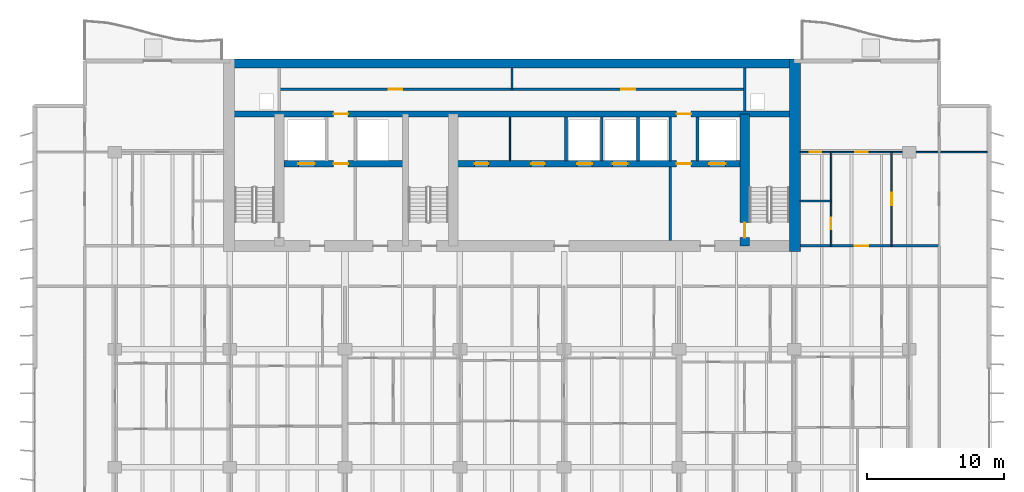
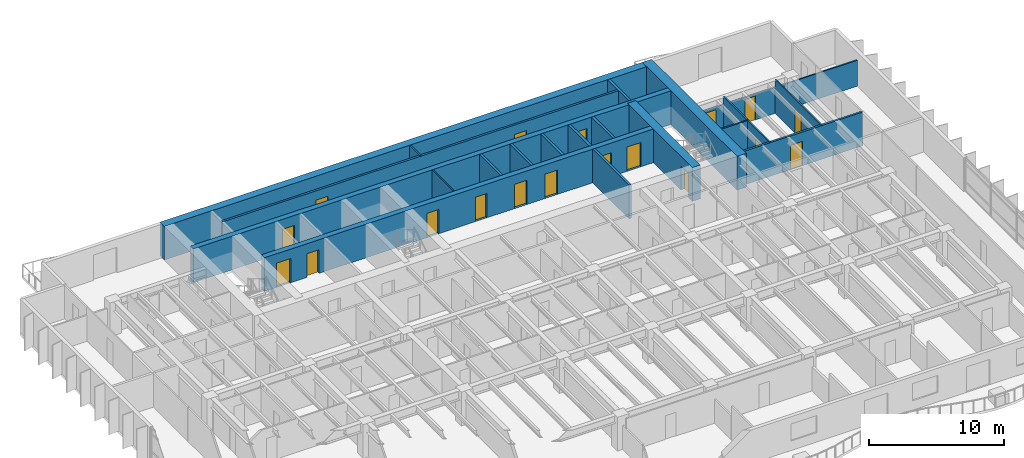
# One storey, part 10 of 15: 20 walls, 18 doors, 18 openings.
"""IFC4 building model written with IfcOpenShell, lengths in metres."""

from ifc_helpers import new_model, si_unit, direction, frame, frame_2d, origin, place, context, subcontext, project, spatial, rectangle, extrude, material, layer, layer_set, type_object, element, fill, save


model = new_model("IFC4")

# Units and contexts
model_context = context("Model", 3, precision=1e-05, world=origin(), true_north=direction((0.0, 1.0)))
body_context = subcontext(model_context, "Body", "Model", "MODEL_VIEW")
ifc_project = project(units=[si_unit("LENGTHUNIT", "METRE"), si_unit("AREAUNIT", "SQUARE_METRE"), si_unit("VOLUMEUNIT", "CUBIC_METRE"), si_unit("PLANEANGLEUNIT", "RADIAN"), si_unit("MASSUNIT", "GRAM", prefix="KILO")], contexts=[model_context])

# Site, building, storey
site_placement = place(None, origin())
site = spatial("IfcSite", under=ifc_project, at=site_placement, CompositionType="ELEMENT")
building_placement = place(site_placement, origin())
building = spatial("IfcBuilding", under=site, at=building_placement, Name="Caelmar Bay Residences", CompositionType="ELEMENT")
storey_placement = place(building_placement, frame((0.0, 0.0, 135.60009765625)))
storey = spatial("IfcBuildingStorey", under=building, at=storey_placement, Name="L37", CompositionType="ELEMENT", Elevation=135.60009765625)

# Wall, opening, door
ifc_material_1 = material(Name="Concrete f'c 55 MPa (8,000 psi)", Category="concrete")
ifc_layer_1 = layer(ifc_material_1, 0.699951171875)
ifc_layer_set_1 = layer_set([ifc_layer_1], Name="Concrete f'c 55 MPa (8,000 psi)")
wall_type_1 = type_object("IfcWallType", Name="SW-COR-700", PredefinedType="SHEAR", material=ifc_layer_set_1)
wall_1_placement = place(storey_placement, frame((55.89990234375, 36.949951171875, 0.0), z_axis=(0.0, 0.0, 1.0), x_axis=(0.0, 1.0, 0.0)))
wall_1 = element("IfcWall", 1, at=wall_1_placement, inside=storey, type_object=wall_type_1, Name="L37 Core Structural Web Wall ST2W", PredefinedType="SHEAR", context=body_context, shape_type="SweptSolid", body=[
    extrude(rectangle(XDim=9.625, YDim=0.699951171875, at=frame_2d((4.8125, 0.0))), origin(), (0.0, 0.0, 1.0), 3.0498046875),
])
opening_1_placement = place(wall_1_placement, frame((0.60009765625, 0.0, 0.0)))
opening_1 = element("IfcOpeningElement", 2, at=opening_1_placement, cuts=wall_1, Name="Opening D-L37-110", PredefinedType="OPENING", context=body_context, shape_type="SweptSolid", body=[
    extrude(rectangle(XDim=1.10009765625, YDim=2.14990234375, at=frame_2d((0.550048828125, 1.074951171875))), frame((0.0, 0.35986328125, 0.0), z_axis=(0.0, -1.0, 0.0), x_axis=(1.0, 0.0, 0.0)), (0.0, 0.0, 1.0), 0.719970703125),
])
ifc_material_2 = material(Name="Fire-rated steel and walnut architectural door assembly", Category="steel")
ifc_layer_2 = layer(ifc_material_2, 0.050048828125)
ifc_layer_set_2 = layer_set([ifc_layer_2], Name="Fire-rated steel and walnut architectural door assembly")
door_type_1 = type_object("IfcDoorType", Name="D-STAIR-1100", OperationType="NOTDEFINED", PredefinedType="DOOR", material=ifc_layer_set_2)
door_1_placement = place(opening_1_placement, origin())
door_1 = element("IfcDoor", 3, at=door_1_placement, inside=storey, type_object=door_type_1, Name="L37 Firefighting Lobby East Door", OperationType="SINGLE_SWING_LEFT", OverallHeight=2.14990234375, OverallWidth=1.10009765625, PredefinedType="DOOR", context=body_context, shape_type="SweptSolid", body=[
    extrude(rectangle(XDim=1.10009765625, YDim=2.14990234375, at=frame_2d((0.550048828125, 1.074951171875))), frame((0.0, 0.02490234375, 0.0), z_axis=(0.0, -1.0, 0.0), x_axis=(1.0, 0.0, 0.0)), (0.0, 0.0, 1.0), 0.050048828125),
])
fill(opening_1, door_1)

# Walls
ifc_material_3 = material(Name="Concrete f'c 70 MPa (10,000 psi)", Category="concrete")
ifc_layer_3 = layer(ifc_material_3, 0.800048828125)
ifc_layer_set_3 = layer_set([ifc_layer_3], Name="Concrete f'c 70 MPa (10,000 psi)")
wall_type_2 = type_object("IfcWallType", Name="SW-COR-800", PredefinedType="SHEAR", material=ifc_layer_set_3)
wall_2_placement = place(storey_placement, frame((59.550048828125, 36.550048828125, 0.0), z_axis=(0.0, 0.0, 1.0), x_axis=(0.0, 1.0, 0.0)))
element("IfcWall", 4, at=wall_2_placement, inside=storey, type_object=wall_type_2, Name="L37 Rear Core East Shear Wall", PredefinedType="SHEAR", context=body_context, shape_type="SweptSolid", body=[
    extrude(rectangle(XDim=14.050048828125, YDim=0.800048828125, at=frame_2d((7.02490234375, 0.0))), origin(), (0.0, 0.0, 1.0), 3.0498046875),
])
ifc_layer_4 = layer(ifc_material_1, 0.64990234375)
ifc_layer_set_4 = layer_set([ifc_layer_4], Name="Concrete f'c 55 MPa (8,000 psi)")
wall_type_3 = type_object("IfcWallType", Name="SW-CORN-650", PredefinedType="SHEAR", material=ifc_layer_set_4)
wall_3_placement = place(storey_placement, frame((17.85009765625, 50.27490234375, 0.0), z_axis=(0.0, 0.0, 1.0), x_axis=(1.0, 0.0, 0.0)))
element("IfcWall", 5, at=wall_3_placement, inside=storey, type_object=wall_type_3, Name="L37 Rear Core North Shear Wall", PredefinedType="SHEAR", context=body_context, shape_type="SweptSolid", body=[
    extrude(rectangle(XDim=42.099853515625, YDim=0.64990234375, at=frame_2d((21.0498046875, 0.0))), origin(), (0.0, 0.0, 1.0), 3.0498046875),
])

# Wall, openings, doors
ifc_layer_5 = layer(ifc_material_3, 0.449951171875)
ifc_layer_set_5 = layer_set([ifc_layer_5], Name="Concrete f'c 70 MPa (10,000 psi)")
wall_type_4 = type_object("IfcWallType", Name="SW-WEB-450", PredefinedType="SHEAR", material=ifc_layer_set_5)
wall_4_placement = place(storey_placement, frame((22.25, 42.949951171875, 0.0), z_axis=(0.0, 0.0, 1.0), x_axis=(1.0, 0.0, 0.0)))
wall_4 = element("IfcWall", 6, at=wall_4_placement, inside=storey, type_object=wall_type_4, Name="L37 Core Structural Web Wall LFR", PredefinedType="SHEAR", context=body_context, shape_type="SweptSolid", body=[
    extrude(rectangle(XDim=33.300048828125, YDim=0.449951171875, at=frame_2d((16.64990234375, 0.0))), origin(), (0.0, 0.0, 1.0), 3.0498046875),
])
opening_2_placement = place(wall_4_placement, frame((1.050048828125, 0.0, 0.0)))
opening_2 = element("IfcOpeningElement", 7, at=opening_2_placement, cuts=wall_4, Name="Opening LD2", PredefinedType="OPENING", context=body_context, shape_type="SweptSolid", body=[
    extrude(rectangle(XDim=1.199951171875, YDim=2.199951171875, at=frame_2d((0.60009765625, 1.10009765625))), frame((0.0, 0.23486328125, 0.0), z_axis=(0.0, -1.0, 0.0), x_axis=(1.0, 0.0, 0.0)), (0.0, 0.0, 1.0), 0.469970703125),
])
opening_3_placement = place(wall_4_placement, frame((31.050048828125, 0.0, 0.0)))
opening_3 = element("IfcOpeningElement", 8, at=opening_3_placement, cuts=wall_4, Name="Opening LD2", PredefinedType="OPENING", context=body_context, shape_type="SweptSolid", body=[
    extrude(rectangle(XDim=1.199951171875, YDim=2.199951171875, at=frame_2d((0.60009765625, 1.10009765625))), frame((0.0, 0.23486328125, 0.0), z_axis=(0.0, -1.0, 0.0), x_axis=(1.0, 0.0, 0.0)), (0.0, 0.0, 1.0), 0.469970703125),
])
opening_4_placement = place(wall_4_placement, frame((21.39990234375, 0.0, 0.0)))
opening_4 = element("IfcOpeningElement", 9, at=opening_4_placement, cuts=wall_4, Name="Opening LD1", PredefinedType="OPENING", context=body_context, shape_type="SweptSolid", body=[
    extrude(rectangle(XDim=1.10009765625, YDim=2.199951171875, at=frame_2d((0.550048828125, 1.10009765625))), frame((0.0, 0.23486328125, 0.0), z_axis=(0.0, -1.0, 0.0), x_axis=(1.0, 0.0, 0.0)), (0.0, 0.0, 1.0), 0.469970703125),
])
opening_5_placement = place(wall_4_placement, frame((24.0, 0.0, 0.0)))
opening_5 = element("IfcOpeningElement", 10, at=opening_5_placement, cuts=wall_4, Name="Opening LD1", PredefinedType="OPENING", context=body_context, shape_type="SweptSolid", body=[
    extrude(rectangle(XDim=1.10009765625, YDim=2.199951171875, at=frame_2d((0.550048828125, 1.10009765625))), frame((0.0, 0.23486328125, 0.0), z_axis=(0.0, -1.0, 0.0), x_axis=(1.0, 0.0, 0.0)), (0.0, 0.0, 1.0), 0.469970703125),
])
opening_6_placement = place(wall_4_placement, frame((3.625, 0.0, 0.0)))
opening_6 = element("IfcOpeningElement", 11, at=opening_6_placement, cuts=wall_4, Name="Opening D-L37-108", PredefinedType="OPENING", context=body_context, shape_type="SweptSolid", body=[
    extrude(rectangle(XDim=1.050048828125, YDim=2.14990234375, at=frame_2d((0.52490234375, 1.074951171875))), frame((0.0, 0.23486328125, 0.0), z_axis=(0.0, -1.0, 0.0), x_axis=(1.0, 0.0, 0.0)), (0.0, 0.0, 1.0), 0.469970703125),
])
opening_7_placement = place(wall_4_placement, frame((28.675048828125, 0.0, 0.0)))
opening_7 = element("IfcOpeningElement", 12, at=opening_7_placement, cuts=wall_4, Name="Opening D-L37-111", PredefinedType="OPENING", context=body_context, shape_type="SweptSolid", body=[
    extrude(rectangle(XDim=1.050048828125, YDim=2.14990234375, at=frame_2d((0.52490234375, 1.074951171875))), frame((0.0, 0.23486328125, 0.0), z_axis=(0.0, -1.0, 0.0), x_axis=(1.0, 0.0, 0.0)), (0.0, 0.0, 1.0), 0.469970703125),
])
opening_8_placement = place(wall_4_placement, frame((13.925048828125, 0.0, 0.0)))
opening_8 = element("IfcOpeningElement", 13, at=opening_8_placement, cuts=wall_4, Name="Opening D-L37-114", PredefinedType="OPENING", context=body_context, shape_type="SweptSolid", body=[
    extrude(rectangle(XDim=1.0, YDim=2.199951171875, at=frame_2d((0.5, 1.10009765625))), frame((0.0, 0.23486328125, 0.0), z_axis=(0.0, -1.0, 0.0), x_axis=(1.0, 0.0, 0.0)), (0.0, 0.0, 1.0), 0.469970703125),
])
opening_9_placement = place(wall_4_placement, frame((18.050048828125, 0.0, 0.0)))
opening_9 = element("IfcOpeningElement", 14, at=opening_9_placement, cuts=wall_4, Name="Opening D-L37-115", PredefinedType="OPENING", context=body_context, shape_type="SweptSolid", body=[
    extrude(rectangle(XDim=1.0, YDim=2.199951171875, at=frame_2d((0.5, 1.10009765625))), frame((0.0, 0.23486328125, 0.0), z_axis=(0.0, -1.0, 0.0), x_axis=(1.0, 0.0, 0.0)), (0.0, 0.0, 1.0), 0.469970703125),
])
ifc_layer_6 = layer(ifc_material_2, 0.050048828125)
ifc_layer_set_6 = layer_set([ifc_layer_6], Name="Fire-rated steel and walnut architectural door assembly")
door_type_2 = type_object("IfcDoorType", Name="D-FSAE-1050", OperationType="NOTDEFINED", PredefinedType="DOOR", material=ifc_layer_set_6)
door_2_placement = place(opening_6_placement, origin())
door_2 = element("IfcDoor", 15, at=door_2_placement, inside=storey, type_object=door_type_2, Name="L37 Firefighting Lobby West Door", OperationType="SINGLE_SWING_LEFT", OverallHeight=2.14990234375, OverallWidth=1.050048828125, PredefinedType="DOOR", context=body_context, shape_type="SweptSolid", body=[
    extrude(rectangle(XDim=1.050048828125, YDim=2.14990234375, at=frame_2d((0.52490234375, 1.074951171875))), frame((0.0, 0.02490234375, 0.0), z_axis=(0.0, -1.0, 0.0), x_axis=(1.0, 0.0, 0.0)), (0.0, 0.0, 1.0), 0.050048828125),
])
fill(opening_6, door_2)
door_3_placement = place(opening_7_placement, origin())
door_3 = element("IfcDoor", 16, at=door_3_placement, inside=storey, type_object=door_type_2, Name="L37 Firefighting Lobby East Door", OperationType="SINGLE_SWING_RIGHT", OverallHeight=2.14990234375, OverallWidth=1.050048828125, PredefinedType="DOOR", context=body_context, shape_type="SweptSolid", body=[
    extrude(rectangle(XDim=1.050048828125, YDim=2.14990234375, at=frame_2d((0.52490234375, 1.074951171875))), frame((0.0, 0.02490234375, 0.0), z_axis=(0.0, -1.0, 0.0), x_axis=(1.0, 0.0, 0.0)), (0.0, 0.0, 1.0), 0.050048828125),
])
fill(opening_7, door_3)
ifc_material_4 = material(Name="Brushed bronze stainless-steel fire-rated lift landing doors", Category="steel")
ifc_layer_7 = layer(ifc_material_4, 0.050048828125)
ifc_layer_set_7 = layer_set([ifc_layer_7], Name="Brushed bronze stainless-steel fire-rated lift landing doors")
door_type_3 = type_object("IfcDoorType", Name="D-LND-1100", OperationType="DOUBLE_DOOR_SLIDING", PredefinedType="DOOR", material=ifc_layer_set_7)
door_4_placement = place(opening_4_placement, origin())
door_4 = element("IfcDoor", 17, at=door_4_placement, inside=storey, type_object=door_type_3, Name="L37 LP4 Sliding Landing Door", OperationType="DOUBLE_DOOR_SLIDING", OverallHeight=2.199951171875, OverallWidth=1.10009765625, PredefinedType="DOOR", context=body_context, shape_type="SweptSolid", body=[
    extrude(rectangle(XDim=1.10009765625, YDim=2.199951171875, at=frame_2d((0.550048828125, 1.10009765625))), frame((0.0, 0.02490234375, 0.0), z_axis=(0.0, -1.0, 0.0), x_axis=(1.0, 0.0, 0.0)), (0.0, 0.0, 1.0), 0.050048828125),
])
fill(opening_4, door_4)
door_5_placement = place(opening_5_placement, origin())
door_5 = element("IfcDoor", 18, at=door_5_placement, inside=storey, type_object=door_type_3, Name="L37 LP5 Sliding Landing Door", OperationType="DOUBLE_DOOR_SLIDING", OverallHeight=2.199951171875, OverallWidth=1.10009765625, PredefinedType="DOOR", context=body_context, shape_type="SweptSolid", body=[
    extrude(rectangle(XDim=1.10009765625, YDim=2.199951171875, at=frame_2d((0.550048828125, 1.10009765625))), frame((0.0, 0.02490234375, 0.0), z_axis=(0.0, -1.0, 0.0), x_axis=(1.0, 0.0, 0.0)), (0.0, 0.0, 1.0), 0.050048828125),
])
fill(opening_5, door_5)
ifc_material_5 = material(Name="Brushed stainless-steel FSAE sliding landing door", Category="steel")
ifc_layer_8 = layer(ifc_material_5, 0.050048828125)
ifc_layer_set_8 = layer_set([ifc_layer_8], Name="Brushed stainless-steel FSAE sliding landing door")
door_type_4 = type_object("IfcDoorType", Name="D-LND-1200", OperationType="DOUBLE_DOOR_SLIDING", PredefinedType="DOOR", material=ifc_layer_set_8)
door_6_placement = place(opening_2_placement, origin())
door_6 = element("IfcDoor", 19, at=door_6_placement, inside=storey, type_object=door_type_4, Name="L37 LF1 Sliding Landing Door", OperationType="DOUBLE_DOOR_SLIDING", OverallHeight=2.199951171875, OverallWidth=1.199951171875, PredefinedType="DOOR", context=body_context, shape_type="SweptSolid", body=[
    extrude(rectangle(XDim=1.199951171875, YDim=2.199951171875, at=frame_2d((0.60009765625, 1.10009765625))), frame((0.0, 0.02490234375, 0.0), z_axis=(0.0, -1.0, 0.0), x_axis=(1.0, 0.0, 0.0)), (0.0, 0.0, 1.0), 0.050048828125),
])
fill(opening_2, door_6)
door_7_placement = place(opening_3_placement, origin())
door_7 = element("IfcDoor", 20, at=door_7_placement, inside=storey, type_object=door_type_4, Name="L37 LF2 Sliding Landing Door", OperationType="DOUBLE_DOOR_SLIDING", OverallHeight=2.199951171875, OverallWidth=1.199951171875, PredefinedType="DOOR", context=body_context, shape_type="SweptSolid", body=[
    extrude(rectangle(XDim=1.199951171875, YDim=2.199951171875, at=frame_2d((0.60009765625, 1.10009765625))), frame((0.0, 0.02490234375, 0.0), z_axis=(0.0, -1.0, 0.0), x_axis=(1.0, 0.0, 0.0)), (0.0, 0.0, 1.0), 0.050048828125),
])
fill(opening_3, door_7)
ifc_layer_9 = layer(ifc_material_2, 0.050048828125)
ifc_layer_set_9 = layer_set([ifc_layer_9], Name="Fire-rated steel and walnut architectural door assembly")
door_type_5 = type_object("IfcDoorType", Name="D-UNIT-1000", OperationType="NOTDEFINED", PredefinedType="DOOR", material=ifc_layer_set_9)
door_8_placement = place(opening_8_placement, origin())
door_8 = element("IfcDoor", 21, at=door_8_placement, inside=storey, type_object=door_type_5, Name="L37 Residents Study Room Door", OperationType="SINGLE_SWING_LEFT", OverallHeight=2.199951171875, OverallWidth=1.0, PredefinedType="DOOR", context=body_context, shape_type="SweptSolid", body=[
    extrude(rectangle(XDim=1.0, YDim=2.199951171875, at=frame_2d((0.5, 1.10009765625))), frame((0.0, 0.02490234375, 0.0), z_axis=(0.0, -1.0, 0.0), x_axis=(1.0, 0.0, 0.0)), (0.0, 0.0, 1.0), 0.050048828125),
])
fill(opening_8, door_8)
door_9_placement = place(opening_9_placement, origin())
door_9 = element("IfcDoor", 22, at=door_9_placement, inside=storey, type_object=door_type_5, Name="L37 Wine Tasting Room Door", OperationType="SINGLE_SWING_RIGHT", OverallHeight=2.199951171875, OverallWidth=1.0, PredefinedType="DOOR", context=body_context, shape_type="SweptSolid", body=[
    extrude(rectangle(XDim=1.0, YDim=2.199951171875, at=frame_2d((0.5, 1.10009765625))), frame((0.0, 0.02490234375, 0.0), z_axis=(0.0, -1.0, 0.0), x_axis=(1.0, 0.0, 0.0)), (0.0, 0.0, 1.0), 0.050048828125),
])
fill(opening_9, door_9)

wall_5_placement = place(storey_placement, frame((18.25, 46.574951171875, 0.0), z_axis=(0.0, 0.0, 1.0), x_axis=(1.0, 0.0, 0.0)))
wall_5 = element("IfcWall", 23, at=wall_5_placement, inside=storey, type_object=wall_type_4, Name="L37 Core Structural Web Wall SRVS", PredefinedType="SHEAR", context=body_context, shape_type="SweptSolid", body=[
    extrude(rectangle(XDim=41.300048828125, YDim=0.449951171875, at=frame_2d((20.64990234375, 0.0))), origin(), (0.0, 0.0, 1.0), 3.0498046875),
])
opening_10_placement = place(wall_5_placement, frame((7.625, 0.0, 0.0)))
opening_10 = element("IfcOpeningElement", 24, at=opening_10_placement, cuts=wall_5, Name="Opening D-L37-116", PredefinedType="OPENING", context=body_context, shape_type="SweptSolid", body=[
    extrude(rectangle(XDim=1.050048828125, YDim=2.14990234375, at=frame_2d((0.52490234375, 1.074951171875))), frame((0.0, 0.23486328125, 0.0), z_axis=(0.0, -1.0, 0.0), x_axis=(1.0, 0.0, 0.0)), (0.0, 0.0, 1.0), 0.469970703125),
])
opening_11_placement = place(wall_5_placement, frame((32.675048828125, 0.0, 0.0)))
opening_11 = element("IfcOpeningElement", 25, at=opening_11_placement, cuts=wall_5, Name="Opening D-L37-117", PredefinedType="OPENING", context=body_context, shape_type="SweptSolid", body=[
    extrude(rectangle(XDim=1.050048828125, YDim=2.14990234375, at=frame_2d((0.52490234375, 1.074951171875))), frame((0.0, 0.23486328125, 0.0), z_axis=(0.0, -1.0, 0.0), x_axis=(1.0, 0.0, 0.0)), (0.0, 0.0, 1.0), 0.469970703125),
])
door_10_placement = place(opening_10_placement, origin())
door_10 = element("IfcDoor", 26, at=door_10_placement, inside=storey, type_object=door_type_2, Name="L37 Core Service Corridor Door", OperationType="SINGLE_SWING_LEFT", OverallHeight=2.14990234375, OverallWidth=1.050048828125, PredefinedType="DOOR", context=body_context, shape_type="SweptSolid", body=[
    extrude(rectangle(XDim=1.050048828125, YDim=2.14990234375, at=frame_2d((0.52490234375, 1.074951171875))), frame((0.0, 0.02490234375, 0.0), z_axis=(0.0, -1.0, 0.0), x_axis=(1.0, 0.0, 0.0)), (0.0, 0.0, 1.0), 0.050048828125),
])
fill(opening_10, door_10)
door_11_placement = place(opening_11_placement, origin())
door_11 = element("IfcDoor", 27, at=door_11_placement, inside=storey, type_object=door_type_2, Name="L37 Core Service Corridor Door", OperationType="SINGLE_SWING_RIGHT", OverallHeight=2.14990234375, OverallWidth=1.050048828125, PredefinedType="DOOR", context=body_context, shape_type="SweptSolid", body=[
    extrude(rectangle(XDim=1.050048828125, YDim=2.14990234375, at=frame_2d((0.52490234375, 1.074951171875))), frame((0.0, 0.02490234375, 0.0), z_axis=(0.0, -1.0, 0.0), x_axis=(1.0, 0.0, 0.0)), (0.0, 0.0, 1.0), 0.050048828125),
])
fill(opening_11, door_11)

# Wall, opening, door
ifc_material_6 = material(Name="Double-stud acoustic fire-rated gypsum partition 180 mm")
ifc_layer_10 = layer(ifc_material_6, 0.179931640625)
ifc_layer_set_10 = layer_set([ifc_layer_10], Name="Double-stud acoustic fire-rated gypsum partition 180 mm")
wall_type_5 = type_object("IfcWallType", Name="W-COR-200", PredefinedType="PARTITIONING", material=ifc_layer_set_10)
wall_6_placement = place(storey_placement, frame((59.955078125, 36.949951171875, 0.0), z_axis=(0.0, 0.0, 1.0), x_axis=(1.0, 0.0, 0.0)))
wall_6 = element("IfcWall", 28, at=wall_6_placement, inside=storey, type_object=wall_type_5, Name="L37 Partition Wall H099", PredefinedType="PARTITIONING", context=body_context, shape_type="SweptSolid", body=[
    extrude(rectangle(XDim=10.14501953125, YDim=0.179931640625, at=frame_2d((5.072509765625, 0.0))), origin(), (0.0, 0.0, 1.0), 3.0498046875),
])
opening_12_placement = place(wall_6_placement, frame((3.95703125, 0.0, 0.0)))
opening_12 = element("IfcOpeningElement", 29, at=opening_12_placement, cuts=wall_6, Name="Opening D-L37-171", PredefinedType="OPENING", context=body_context, shape_type="SweptSolid", body=[
    extrude(rectangle(XDim=1.0, YDim=2.199951171875, at=frame_2d((0.5, 1.10009765625))), frame((0.0, 0.099853515625, 0.0), z_axis=(0.0, -1.0, 0.0), x_axis=(1.0, 0.0, 0.0)), (0.0, 0.0, 1.0), 0.199951171875),
])
door_12_placement = place(opening_12_placement, origin())
door_12 = element("IfcDoor", 30, at=door_12_placement, inside=storey, type_object=door_type_5, Name="L37 Residence EA Kitchen Door", OperationType="SINGLE_SWING_RIGHT", OverallHeight=2.199951171875, OverallWidth=1.0, PredefinedType="DOOR", context=body_context, shape_type="SweptSolid", body=[
    extrude(rectangle(XDim=1.0, YDim=2.199951171875, at=frame_2d((0.5, 1.10009765625))), frame((0.0, 0.02490234375, 0.0), z_axis=(0.0, -1.0, 0.0), x_axis=(1.0, 0.0, 0.0)), (0.0, 0.0, 1.0), 0.050048828125),
])
fill(opening_12, door_12)

# Wall, openings, doors
wall_7_placement = place(storey_placement, frame((21.89990234375, 48.39990234375, 0.0), z_axis=(0.0, 0.0, 1.0), x_axis=(1.0, 0.0, 0.0)))
wall_7 = element("IfcWall", 31, at=wall_7_placement, inside=storey, type_object=wall_type_5, Name="L37 Partition Wall H104", PredefinedType="PARTITIONING", context=body_context, shape_type="SweptSolid", body=[
    extrude(rectangle(XDim=33.986083984375, YDim=0.179931640625, at=frame_2d((16.9931640625, 0.0))), origin(), (0.0, 0.0, 1.0), 3.0498046875),
])
opening_13_placement = place(wall_7_placement, frame((8.0, 0.0, 0.0)))
opening_13 = element("IfcOpeningElement", 32, at=opening_13_placement, cuts=wall_7, Name="Opening D-L37-118", PredefinedType="OPENING", context=body_context, shape_type="SweptSolid", body=[
    extrude(rectangle(XDim=1.0, YDim=2.199951171875, at=frame_2d((0.5, 1.10009765625))), frame((0.0, 0.099853515625, 0.0), z_axis=(0.0, -1.0, 0.0), x_axis=(1.0, 0.0, 0.0)), (0.0, 0.0, 1.0), 0.199951171875),
])
opening_14_placement = place(wall_7_placement, frame((24.992919921875, 0.0, 0.0)))
opening_14 = element("IfcOpeningElement", 33, at=opening_14_placement, cuts=wall_7, Name="Opening D-L37-119", PredefinedType="OPENING", context=body_context, shape_type="SweptSolid", body=[
    extrude(rectangle(XDim=1.0, YDim=2.199951171875, at=frame_2d((0.5, 1.10009765625))), frame((0.0, 0.099853515625, 0.0), z_axis=(0.0, -1.0, 0.0), x_axis=(1.0, 0.0, 0.0)), (0.0, 0.0, 1.0), 0.199951171875),
])
door_13_placement = place(opening_13_placement, origin())
door_13 = element("IfcDoor", 34, at=door_13_placement, inside=storey, type_object=door_type_5, Name="L37 Building Management Office Door", OperationType="SINGLE_SWING_LEFT", OverallHeight=2.199951171875, OverallWidth=1.0, PredefinedType="DOOR", context=body_context, shape_type="SweptSolid", body=[
    extrude(rectangle(XDim=1.0, YDim=2.199951171875, at=frame_2d((0.5, 1.10009765625))), frame((0.0, 0.02490234375, 0.0), z_axis=(0.0, -1.0, 0.0), x_axis=(1.0, 0.0, 0.0)), (0.0, 0.0, 1.0), 0.050048828125),
])
fill(opening_13, door_13)
door_14_placement = place(opening_14_placement, origin())
door_14 = element("IfcDoor", 35, at=door_14_placement, inside=storey, type_object=door_type_5, Name="L37 Concierge Operations Office Door", OperationType="SINGLE_SWING_RIGHT", OverallHeight=2.199951171875, OverallWidth=1.0, PredefinedType="DOOR", context=body_context, shape_type="SweptSolid", body=[
    extrude(rectangle(XDim=1.0, YDim=2.199951171875, at=frame_2d((0.5, 1.10009765625))), frame((0.0, 0.02490234375, 0.0), z_axis=(0.0, -1.0, 0.0), x_axis=(1.0, 0.0, 0.0)), (0.0, 0.0, 1.0), 0.050048828125),
])
fill(opening_14, door_14)

# Walls
ifc_material_7 = material(Name="Fire-rated masonry and gypsum shaftliner assembly 200 mm", Category="masonry")
ifc_layer_11 = layer(ifc_material_7, 0.199951171875)
ifc_layer_set_11 = layer_set([ifc_layer_11], Name="Fire-rated masonry and gypsum shaftliner assembly 200 mm")
wall_type_6 = type_object("IfcWallType", Name="W-FSAE-200", PredefinedType="PARTITIONING", material=ifc_layer_set_11)
for number, where, z_axis, x_axis, name in (
    (36, (42.85009765625, 43.169921875, 0.0), (0.0, 0.0, 1.0), (0.0, 1.0, 0.0), "L37 Partition Wall V038"),
    (37, (45.449951171875, 43.169921875, 0.0), (0.0, 0.0, 1.0), (0.0, 1.0, 0.0), "L37 Partition Wall V039"),
    (38, (48.10009765625, 43.169921875, 0.0), (0.0, 0.0, 1.0), (0.0, 1.0, 0.0), "L37 Partition Wall V040"),
):
    element("IfcWall", number, at=place(storey_placement, frame(where, z_axis=z_axis, x_axis=x_axis)), inside=storey, type_object=wall_type_6, Name=name, PredefinedType="PARTITIONING", context=body_context, shape_type="SweptSolid", body=[
        extrude(rectangle(XDim=3.18505859375, YDim=0.199951171875, at=frame_2d((1.592529296875, 0.0))), origin(), (0.0, 0.0, 1.0), 3.0498046875),
    ])
wall_8_placement = place(storey_placement, frame((50.449951171875, 37.344970703125, 0.0), z_axis=(0.0, 0.0, 1.0), x_axis=(0.0, 1.0, 0.0)))
element("IfcWall", 39, at=wall_8_placement, inside=storey, type_object=wall_type_6, Name="L37 Partition Wall V042", PredefinedType="PARTITIONING", context=body_context, shape_type="SweptSolid", body=[
    extrude(rectangle(XDim=5.385009765625, YDim=0.199951171875, at=frame_2d((2.6923828125, 0.0))), origin(), (0.0, 0.0, 1.0), 3.0498046875),
])
for number, where, z_axis, x_axis, name in (
    (40, (50.449951171875, 43.169921875, 0.0), (0.0, 0.0, 1.0), (0.0, 1.0, 0.0), "L37 Partition Wall V043"),
    (41, (52.449951171875, 43.169921875, 0.0), (0.0, 0.0, 1.0), (0.0, 1.0, 0.0), "L37 Partition Wall V047"),
):
    element("IfcWall", number, at=place(storey_placement, frame(where, z_axis=z_axis, x_axis=x_axis)), inside=storey, type_object=wall_type_6, Name=name, PredefinedType="PARTITIONING", context=body_context, shape_type="SweptSolid", body=[
        extrude(rectangle(XDim=3.18505859375, YDim=0.199951171875, at=frame_2d((1.592529296875, 0.0))), origin(), (0.0, 0.0, 1.0), 3.0498046875),
    ])
wall_9_placement = place(storey_placement, frame((55.89990234375, 46.794921875, 0.0), z_axis=(0.0, 0.0, 1.0), x_axis=(0.0, 1.0, 0.0)))
element("IfcWall", 42, at=wall_9_placement, inside=storey, type_object=wall_type_6, Name="L37 Partition Wall V051", PredefinedType="PARTITIONING", context=body_context, shape_type="SweptSolid", body=[
    extrude(rectangle(XDim=3.16015625, YDim=0.199951171875, at=frame_2d((1.580078125, 0.0))), origin(), (0.0, 0.0, 1.0), 3.0498046875),
])
ifc_material_8 = material(Name="Anodised bronze framed acoustic sliding study partition 100 mm")
ifc_layer_12 = layer(ifc_material_8, 0.10009765625)
ifc_layer_set_12 = layer_set([ifc_layer_12], Name="Anodised bronze framed acoustic sliding study partition 100 mm")
wall_type_7 = type_object("IfcWallType", Name="W-MOV-100", PredefinedType="MOVABLE", material=ifc_layer_set_12)
wall_10_placement = place(storey_placement, frame((38.75, 43.169921875, 0.0), z_axis=(0.0, 0.0, 1.0), x_axis=(0.0, 1.0, 0.0)))
element("IfcWall", 43, at=wall_10_placement, inside=storey, type_object=wall_type_7, Name="L37 Partition Wall V031", PredefinedType="MOVABLE", context=body_context, shape_type="SweptSolid", body=[
    extrude(rectangle(XDim=3.18505859375, YDim=0.10009765625, at=frame_2d((1.592529296875, 0.0))), origin(), (0.0, 0.0, 1.0), 3.0498046875),
])
ifc_material_9 = material(Name="Acoustic metal-stud gypsum partition 120 mm")
ifc_layer_13 = layer(ifc_material_9, 0.1201171875)
ifc_layer_set_13 = layer_set([ifc_layer_13], Name="Acoustic metal-stud gypsum partition 120 mm")
wall_type_8 = type_object("IfcWallType", Name="W-PRT-120", PredefinedType="PARTITIONING", material=ifc_layer_set_13)
wall_11_placement = place(storey_placement, frame((38.89990234375, 48.39990234375, 0.0), z_axis=(0.0, 0.0, 1.0), x_axis=(0.0, 1.0, 0.0)))
element("IfcWall", 44, at=wall_11_placement, inside=storey, type_object=wall_type_8, Name="L37 Partition Wall V032", PredefinedType="PARTITIONING", context=body_context, shape_type="SweptSolid", body=[
    extrude(rectangle(XDim=1.55517578125, YDim=0.1201171875, at=frame_2d((0.777587890625, 0.0))), origin(), (0.0, 0.0, 1.0), 3.0498046875),
])

# Wall, opening, door
wall_12_placement = place(storey_placement, frame((62.199951171875, 36.949951171875, 0.0), z_axis=(0.0, 0.0, 1.0), x_axis=(0.0, 1.0, 0.0)))
wall_12 = element("IfcWall", 45, at=wall_12_placement, inside=storey, type_object=wall_type_8, Name="L37 Partition Wall V057", PredefinedType="PARTITIONING", context=body_context, shape_type="SweptSolid", body=[
    extrude(rectangle(XDim=6.85009765625, YDim=0.1201171875, at=frame_2d((3.425048828125, 0.0))), origin(), (0.0, 0.0, 1.0), 3.0498046875),
])
opening_15_placement = place(wall_12_placement, frame((1.218994140625, 0.0, 0.0)))
opening_15 = element("IfcOpeningElement", 46, at=opening_15_placement, cuts=wall_12, Name="Opening D-L37-173", PredefinedType="OPENING", context=body_context, shape_type="SweptSolid", body=[
    extrude(rectangle(XDim=0.85009765625, YDim=2.10009765625, at=frame_2d((0.425048828125, 1.050048828125))), frame((0.0, 0.070068359375, 0.0), z_axis=(0.0, -1.0, 0.0), x_axis=(1.0, 0.0, 0.0)), (0.0, 0.0, 1.0), 0.14013671875),
])
ifc_material_10 = material(Name="Solid walnut timber interior door leaf and frame", Category="wood")
ifc_layer_14 = layer(ifc_material_10, 0.050048828125)
ifc_layer_set_14 = layer_set([ifc_layer_14], Name="Solid walnut timber interior door leaf and frame")
door_type_6 = type_object("IfcDoorType", Name="D-BATH-850", OperationType="NOTDEFINED", PredefinedType="DOOR", material=ifc_layer_set_14)
door_15_placement = place(opening_15_placement, origin())
door_15 = element("IfcDoor", 47, at=door_15_placement, inside=storey, type_object=door_type_6, Name="L37 Residence EA Walk-In Closet Door", OperationType="SINGLE_SWING_RIGHT", OverallHeight=2.10009765625, OverallWidth=0.85009765625, PredefinedType="DOOR", context=body_context, shape_type="SweptSolid", body=[
    extrude(rectangle(XDim=0.85009765625, YDim=2.10009765625, at=frame_2d((0.425048828125, 1.050048828125))), frame((0.0, 0.02490234375, 0.0), z_axis=(0.0, -1.0, 0.0), x_axis=(1.0, 0.0, 0.0)), (0.0, 0.0, 1.0), 0.050048828125),
])
fill(opening_15, door_15)

wall_13_placement = place(storey_placement, frame((66.6240234375, 36.949951171875, 0.0), z_axis=(0.0, 0.0, 1.0), x_axis=(0.0, 1.0, 0.0)))
wall_13 = element("IfcWall", 48, at=wall_13_placement, inside=storey, type_object=wall_type_8, Name="L37 Partition Wall V062", PredefinedType="PARTITIONING", context=body_context, shape_type="SweptSolid", body=[
    extrude(rectangle(XDim=6.85009765625, YDim=0.1201171875, at=frame_2d((3.425048828125, 0.0))), origin(), (0.0, 0.0, 1.0), 3.0498046875),
])
opening_16_placement = place(wall_13_placement, frame((2.97509765625, 0.0, 0.0)))
opening_16 = element("IfcOpeningElement", 49, at=opening_16_placement, cuts=wall_13, Name="Opening D-L37-170", PredefinedType="OPENING", context=body_context, shape_type="SweptSolid", body=[
    extrude(rectangle(XDim=0.89990234375, YDim=2.14990234375, at=frame_2d((0.449951171875, 1.074951171875))), frame((0.0, 0.070068359375, 0.0), z_axis=(0.0, -1.0, 0.0), x_axis=(1.0, 0.0, 0.0)), (0.0, 0.0, 1.0), 0.14013671875),
])
ifc_layer_15 = layer(ifc_material_10, 0.050048828125)
ifc_layer_set_15 = layer_set([ifc_layer_15], Name="Solid walnut timber interior door leaf and frame")
door_type_7 = type_object("IfcDoorType", Name="D-ROOM-900", OperationType="NOTDEFINED", PredefinedType="DOOR", material=ifc_layer_set_15)
door_16_placement = place(opening_16_placement, origin())
door_16 = element("IfcDoor", 50, at=door_16_placement, inside=storey, type_object=door_type_7, Name="L37 Residence EA Dining Room Door", OperationType="SINGLE_SWING_LEFT", OverallHeight=2.14990234375, OverallWidth=0.89990234375, PredefinedType="DOOR", context=body_context, shape_type="SweptSolid", body=[
    extrude(rectangle(XDim=0.89990234375, YDim=2.14990234375, at=frame_2d((0.449951171875, 1.074951171875))), frame((0.0, 0.02490234375, 0.0), z_axis=(0.0, -1.0, 0.0), x_axis=(1.0, 0.0, 0.0)), (0.0, 0.0, 1.0), 0.050048828125),
])
fill(opening_16, door_16)

# Wall
wall_14_placement = place(storey_placement, frame((59.945068359375, 40.238037109375, 0.0), z_axis=(0.0, 0.0, 1.0), x_axis=(1.0, 0.0, 0.0)))
element("IfcWall", 51, at=wall_14_placement, inside=storey, type_object=wall_type_8, Name="L37 Partition Wall H101", PredefinedType="PARTITIONING", context=body_context, shape_type="SweptSolid", body=[
    extrude(rectangle(XDim=2.2548828125, YDim=0.1201171875, at=frame_2d((1.12744140625, 0.0))), origin(), (0.0, 0.0, 1.0), 3.0498046875),
])

# Wall, openings, doors
wall_15_placement = place(storey_placement, frame((59.945068359375, 43.800048828125, 0.0), z_axis=(0.0, 0.0, 1.0), x_axis=(1.0, 0.0, 0.0)))
wall_15 = element("IfcWall", 52, at=wall_15_placement, inside=storey, type_object=wall_type_8, Name="L37 Partition Wall H103", PredefinedType="PARTITIONING", context=body_context, shape_type="SweptSolid", body=[
    extrude(rectangle(XDim=13.659912109375, YDim=0.1201171875, at=frame_2d((6.830078125, 0.0))), origin(), (0.0, 0.0, 1.0), 2.3388671875),
])
opening_17_placement = place(wall_15_placement, frame((4.01708984375, 0.0, 0.0)))
opening_17 = element("IfcOpeningElement", 53, at=opening_17_placement, cuts=wall_15, Name="Opening D-L37-172", PredefinedType="OPENING", context=body_context, shape_type="SweptSolid", body=[
    extrude(rectangle(XDim=0.89990234375, YDim=2.14990234375, at=frame_2d((0.449951171875, 1.074951171875))), frame((0.0, 0.070068359375, 0.0), z_axis=(0.0, -1.0, 0.0), x_axis=(1.0, 0.0, 0.0)), (0.0, 0.0, 1.0), 0.14013671875),
])
opening_18_placement = place(wall_15_placement, frame((0.702392578125, 0.0, 0.0)))
opening_18 = element("IfcOpeningElement", 54, at=opening_18_placement, cuts=wall_15, Name="Opening D-L37-174", PredefinedType="OPENING", context=body_context, shape_type="SweptSolid", body=[
    extrude(rectangle(XDim=0.85009765625, YDim=2.10009765625, at=frame_2d((0.425048828125, 1.050048828125))), frame((0.0, 0.070068359375, 0.0), z_axis=(0.0, -1.0, 0.0), x_axis=(1.0, 0.0, 0.0)), (0.0, 0.0, 1.0), 0.14013671875),
])
door_17_placement = place(opening_18_placement, origin())
door_17 = element("IfcDoor", 55, at=door_17_placement, inside=storey, type_object=door_type_6, Name="L37 Residence EA Bathroom Door", OperationType="SINGLE_SWING_LEFT", OverallHeight=2.10009765625, OverallWidth=0.85009765625, PredefinedType="DOOR", context=body_context, shape_type="SweptSolid", body=[
    extrude(rectangle(XDim=0.85009765625, YDim=2.10009765625, at=frame_2d((0.425048828125, 1.050048828125))), frame((0.0, 0.02490234375, 0.0), z_axis=(0.0, -1.0, 0.0), x_axis=(1.0, 0.0, 0.0)), (0.0, 0.0, 1.0), 0.050048828125),
])
fill(opening_18, door_17)
door_18_placement = place(opening_17_placement, origin())
door_18 = element("IfcDoor", 56, at=door_18_placement, inside=storey, type_object=door_type_7, Name="L37 Residence EA Studio Living and Sleeping Room Door", OperationType="SINGLE_SWING_LEFT", OverallHeight=2.14990234375, OverallWidth=0.89990234375, PredefinedType="DOOR", context=body_context, shape_type="SweptSolid", body=[
    extrude(rectangle(XDim=0.89990234375, YDim=2.14990234375, at=frame_2d((0.449951171875, 1.074951171875))), frame((0.0, 0.02490234375, 0.0), z_axis=(0.0, -1.0, 0.0), x_axis=(1.0, 0.0, 0.0)), (0.0, 0.0, 1.0), 0.050048828125),
])
fill(opening_17, door_18)

save(model, "model.ifc")
